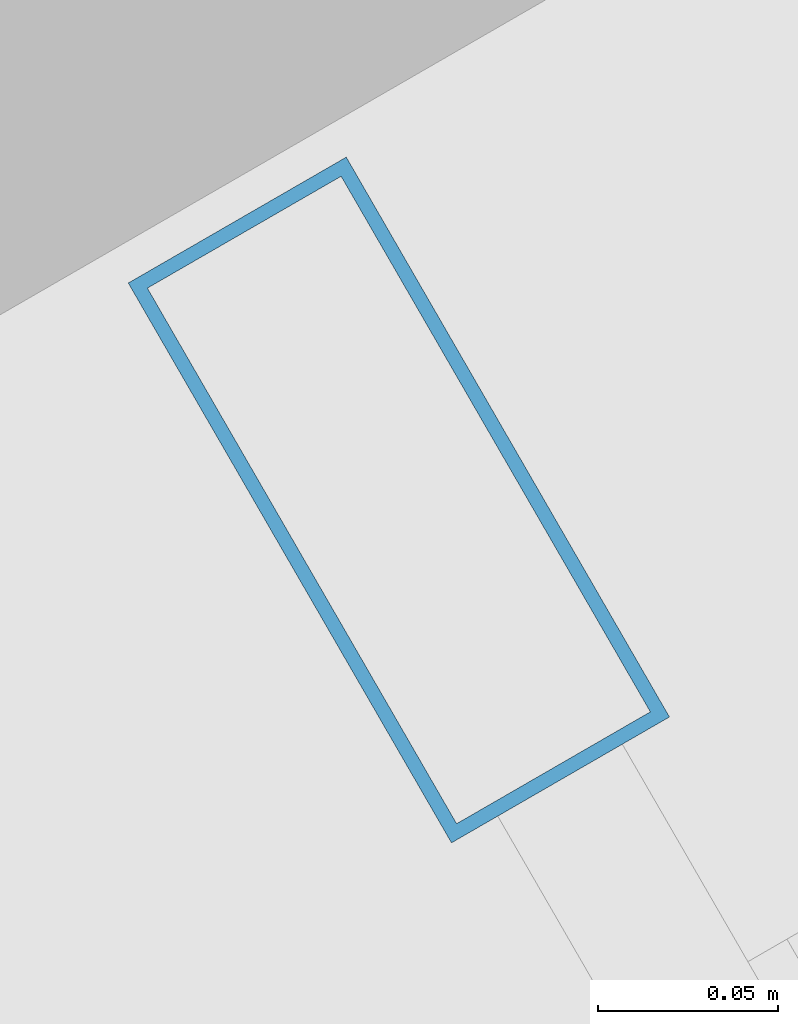
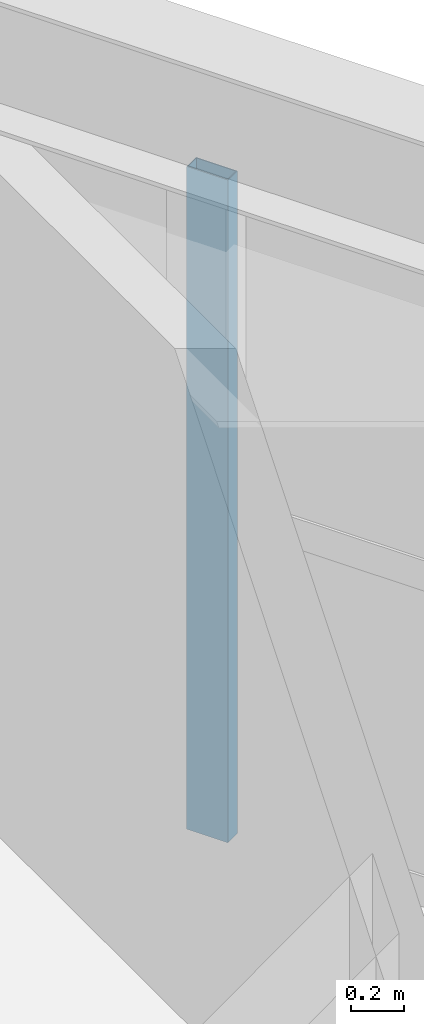
# One storey, part 4 of 15: 1 member, 1 element without a shape of its own.
"""IFC4 building model written with IfcOpenShell, lengths in metres."""

import ifcopenshell
import ifcopenshell.guid

model = None  # the IFC model being written
_history = None  # IfcOwnerHistory: only IFC2X3 demands one
_inside = {}  # id of a spatial element -> (the spatial element, [elements in it])
_under = {}  # id of a project, library or spatial element -> (it, [spatial elements below it])
_declared = {}  # id of a project -> (the project, [libraries it declares])
_typed = {}  # id of a type object -> (the type object, [elements of that type])
_made_of = {}  # id of a material, layer set ... -> (it, [elements and type objects made of it])


def new_model(schema):
    """Start an empty IFC model of exactly this schema.

    Asked for "IFC4X3", IfcOpenShell would pick the latest addendum, in which some entities
    have other attributes; the version numbers below select the first issue.
    IFC2X3 requires an IfcOwnerHistory on every rooted entity: one is made here for all.
    """
    global model, _history
    if schema == "IFC4X3":
        model = ifcopenshell.file(schema_version=(4, 3, 0, 0))
    else:
        model = ifcopenshell.file(schema=schema)
    _inside.clear()
    _under.clear()
    _declared.clear()
    _typed.clear()
    _made_of.clear()
    _history = None
    if model.schema == "IFC2X3":
        org = make("IfcOrganization", Name="unknown")
        user = make(
            "IfcPersonAndOrganization",
            ThePerson=make("IfcPerson", FamilyName="unknown"),
            TheOrganization=org,
        )
        app = make(
            "IfcApplication",
            ApplicationDeveloper=org,
            Version="unknown",
            ApplicationFullName="unknown",
            ApplicationIdentifier="unknown",
        )
        _history = make(
            "IfcOwnerHistory",
            OwningUser=user,
            OwningApplication=app,
            ChangeAction="ADDED",
            CreationDate=0,
        )
    return model


def make(cls, **values):
    """One entity of the class cls with the attributes given. An attribute that is None is left unset."""
    return model.create_entity(
        cls, **{name: value for name, value in values.items() if value is not None}
    )


def rooted(cls, **values):
    """An entity with a GlobalId (a new one), such as an element, a storey or a relation."""
    return make(cls, GlobalId=ifcopenshell.guid.new(), OwnerHistory=_history, **values)


def si_unit(unit_type, name, prefix=None):
    """IfcSIUnit, for example si_unit("LENGTHUNIT", "METRE", prefix="MILLI")."""
    return make("IfcSIUnit", UnitType=unit_type, Prefix=prefix, Name=name)


def assignment(units):
    """IfcUnitAssignment: the units of a project."""
    return None if units is None else make("IfcUnitAssignment", Units=units)


def point(xyz):
    """IfcCartesianPoint."""
    return None if xyz is None else make("IfcCartesianPoint", Coordinates=xyz)


def direction(xyz):
    """IfcDirection."""
    return None if xyz is None else make("IfcDirection", DirectionRatios=xyz)


def frame(location, z_axis=None, x_axis=None):
    """IfcAxis2Placement3D, a coordinate frame: its origin and axes. An axis left out is left unset."""
    return make(
        "IfcAxis2Placement3D",
        Location=point(location),
        Axis=direction(z_axis),
        RefDirection=direction(x_axis),
    )


def frame_2d(location, x_axis=None):
    """IfcAxis2Placement2D, a coordinate frame in the plane: its origin and x axis."""
    return make(
        "IfcAxis2Placement2D", Location=point(location), RefDirection=direction(x_axis)
    )


def origin():
    """The frame at (0, 0, 0) with its axes left unset."""
    return frame((0.0, 0.0, 0.0))


def origin_2d():
    """The frame at (0, 0) in the plane with its x axis left unset."""
    return frame_2d((0.0, 0.0))


def place(relative_to, where):
    """IfcLocalPlacement: puts the frame where relative to a parent placement (None: the world)."""
    return make(
        "IfcLocalPlacement", PlacementRelTo=relative_to, RelativePlacement=where
    )


def context(
    kind, dimensions, precision=None, world=None, true_north=None, identifier=None
):
    """IfcGeometricRepresentationContext, for example the 3D "Model" context."""
    return make(
        "IfcGeometricRepresentationContext",
        ContextIdentifier=identifier,
        ContextType=kind,
        CoordinateSpaceDimension=dimensions,
        Precision=precision,
        WorldCoordinateSystem=world,
        TrueNorth=true_north,
    )


def subcontext(parent, identifier, kind, view, scale=None):
    """IfcGeometricRepresentationSubContext, for example "Body" below "Model"."""
    return make(
        "IfcGeometricRepresentationSubContext",
        ContextIdentifier=identifier,
        ContextType=kind,
        ParentContext=parent,
        TargetScale=scale,
        TargetView=view,
    )


def project(units=None, contexts=None):
    """IfcProject with its units and contexts."""
    return rooted(
        "IfcProject",
        Name="project",
        RepresentationContexts=contexts,
        UnitsInContext=assignment(units),
    )


def spatial(cls, under=None, at=None, **own):
    """A site, building, storey or space (cls), placed at a placement, below another one or the project."""
    s = rooted(cls, ObjectPlacement=at, **own)
    if under is not None:
        _under.setdefault(under.id(), (under, []))[1].append(s)
    return s


def profile(cls, at=None, kind="AREA", **sizes):
    """A parametric profile (cls). Its sizes go by their IFC names, for example OverallWidth=200.0."""
    return make(cls, ProfileType=kind, Position=at, **sizes)


def hollow_rectangle(**sizes):
    """IfcRectangleHollowProfileDef."""
    return profile("IfcRectangleHollowProfileDef", **sizes)


def extrude(swept, where, along, depth):
    """IfcExtrudedAreaSolid: the profile swept, set in the frame where, extruded along a direction by depth."""
    return make(
        "IfcExtrudedAreaSolid",
        SweptArea=swept,
        Position=where,
        ExtrudedDirection=direction(along),
        Depth=depth,
    )


def shape(context_of_items, identifier, shape_type, items):
    """IfcShapeRepresentation: the items that make up one representation, for example the "Body"."""
    return make(
        "IfcShapeRepresentation",
        ContextOfItems=context_of_items,
        RepresentationIdentifier=identifier,
        RepresentationType=shape_type,
        Items=items,
    )


def material(Name=None, Category=None):
    """IfcMaterial."""
    return make("IfcMaterial", Name=Name, Category=Category)


def layer(
    of_material, thickness, ventilated=None, Name=None, Category=None, Priority=None
):
    """IfcMaterialLayer: one layer of a wall or slab, of a material (None: an air gap)."""
    return make(
        "IfcMaterialLayer",
        Material=of_material,
        LayerThickness=thickness,
        IsVentilated=ventilated,
        Name=Name,
        Category=Category,
        Priority=Priority,
    )


def layer_set(layers, Name=None):
    """IfcMaterialLayerSet."""
    return make("IfcMaterialLayerSet", MaterialLayers=layers, LayerSetName=Name)


def material_profile(
    of_material, cross_section, Name=None, Category=None, Priority=None
):
    """IfcMaterialProfile: a cross section and its material."""
    return make(
        "IfcMaterialProfile",
        Name=Name,
        Material=of_material,
        Profile=cross_section,
        Priority=Priority,
        Category=Category,
    )


def profile_set(profiles, Name=None, composite=None):
    """IfcMaterialProfileSet."""
    return make(
        "IfcMaterialProfileSet",
        Name=Name,
        MaterialProfiles=profiles,
        CompositeProfile=composite,
    )


def made_of(thing, what):
    """Note that an element or type object is made of a material, layer set ...; save() writes the relation."""
    if what is not None:
        _made_of.setdefault(what.id(), (what, []))[1].append(thing)
    return thing


def type_object(cls, material=None, **own):
    """A type object (cls), such as IfcWallType, which elements share."""
    return made_of(rooted(cls, **own), material)


def element(
    cls,
    number,
    at=None,
    inside=None,
    cuts=None,
    type_object=None,
    material=None,
    context=None,
    identifier="Body",
    shape_type=None,
    held_by="IfcProductDefinitionShape",
    body=None,
    shapes=None,
    **own,
):
    """One element of the class cls, such as IfcWall. Its Tag is "e" and its number.

    at: its placement. inside: the storey or other place that contains it. cuts: it is an
    opening in that element (IfcRelVoidsElement). A single representation is given by context,
    identifier, shape_type and body (its items); several are given by shapes. held_by: the class
    of the entity that holds the representations. save() writes the other relations.
    """
    e = rooted(cls, Tag="e%d" % number, ObjectPlacement=at, **own)
    if body is not None:
        shapes = [shape(context, identifier, shape_type, body)]
    if shapes is not None:
        e.Representation = make(held_by, Representations=shapes)
    if inside is not None:
        _inside.setdefault(inside.id(), (inside, []))[1].append(e)
    if cuts is not None:
        rooted(
            "IfcRelVoidsElement", RelatingBuildingElement=cuts, RelatedOpeningElement=e
        )
    if type_object is not None:
        _typed.setdefault(type_object.id(), (type_object, []))[1].append(e)
    return made_of(e, material)


def aggregate(whole, parts):
    """IfcRelAggregates: a whole, such as a stair, and the parts it consists of."""
    return rooted("IfcRelAggregates", RelatingObject=whole, RelatedObjects=parts)


def save(model, path):
    """Write the relations noted so far, then the file.

    IfcRelAggregates (storeys below a building ...), IfcRelContainedInSpatialStructure (elements
    in a storey), IfcRelDefinesByType, IfcRelAssociatesMaterial and IfcRelDeclares: one each for
    every whole, place, type object, material and project.
    """
    for whole, parts in _under.values():
        aggregate(whole, parts)
    for where, things in _inside.values():
        rooted(
            "IfcRelContainedInSpatialStructure",
            RelatedElements=things,
            RelatingStructure=where,
        )
    for kind, things in _typed.values():
        rooted("IfcRelDefinesByType", RelatedObjects=things, RelatingType=kind)
    for what, things in _made_of.values():
        rooted("IfcRelAssociatesMaterial", RelatedObjects=things, RelatingMaterial=what)
    for by, libraries in _declared.values():
        rooted("IfcRelDeclares", RelatingContext=by, RelatedDefinitions=libraries)
    model.write(path)


model = new_model("IFC4")

# Units and contexts
model_context = context("Model", 3, precision=1e-05, world=origin(), true_north=direction((0.0, 1.0)))
body_context = subcontext(model_context, "Body", "Model", "MODEL_VIEW")
ifc_project = project(units=[si_unit("LENGTHUNIT", "METRE"), si_unit("AREAUNIT", "SQUARE_METRE"), si_unit("VOLUMEUNIT", "CUBIC_METRE"), si_unit("PLANEANGLEUNIT", "RADIAN"), si_unit("MASSUNIT", "GRAM", prefix="KILO")], contexts=[model_context])

# Site, building, storey
site_placement = place(None, origin())
site = spatial("IfcSite", under=ifc_project, at=site_placement, CompositionType="ELEMENT")
building_placement = place(site_placement, origin())
building = spatial("IfcBuilding", under=site, at=building_placement, Name="Oramaril Tower", CompositionType="ELEMENT")
storey_placement = place(building_placement, frame((0.0, 0.0, 288.89990234375)))
storey = spatial("IfcBuildingStorey", under=building, at=storey_placement, Name="L76", CompositionType="ELEMENT", Elevation=288.89990234375)

# Curtain wall, member
ifc_material_1 = material(Name="Anodised Aluminium 6063-T6", Category="aluminium")
ifc_layer = layer(ifc_material_1, 0.179931640625)
ifc_layer_set = layer_set([ifc_layer], Name="CWT-SYS4")
curtain_wall_type = type_object("IfcCurtainWallType", Name="CWT-SYS4", PredefinedType="NOTDEFINED", material=ifc_layer_set)
curtain_wall_placement = place(storey_placement, origin())
curtain_wall = element("IfcCurtainWall", 1, at=curtain_wall_placement, inside=storey, type_object=curtain_wall_type, Name="L76 Unitised Curtain Wall CW-4", PredefinedType="NOTDEFINED")
ifc_material_2 = material(Name="Anodised Aluminium 6063-T6", Category="aluminium")
ifc_material_profile = material_profile(ifc_material_2, hollow_rectangle(XDim=0.070068359375, YDim=0.179931640625, WallThickness=0.00390625, at=origin_2d()), Name="CWM180X70")
ifc_profile_set = profile_set([ifc_material_profile], Name="Anodised Aluminium 6063-T6")
member_type = type_object("IfcMemberType", Name="MT-CWM2", PredefinedType="MULLION", material=ifc_profile_set)
member_placement = place(storey_placement, frame((48.064453125, 28.34716796875, 0.0), z_axis=(0.0, 0.0, 1.0), x_axis=(-0.866025463091, -0.499999897278, 0.0)))
member = element("IfcMember", 2, at=member_placement, type_object=member_type, Name="CW-4 mullion 3", PredefinedType="MULLION", context=body_context, shape_type="SweptSolid", body=[
    extrude(hollow_rectangle(XDim=0.070068359375, YDim=0.179931640625, WallThickness=0.00390625, at=origin_2d()), origin(), (0.0, 0.0, 1.0), 3.05810546875),
])
aggregate(curtain_wall, [member])

save(model, "model.ifc")
